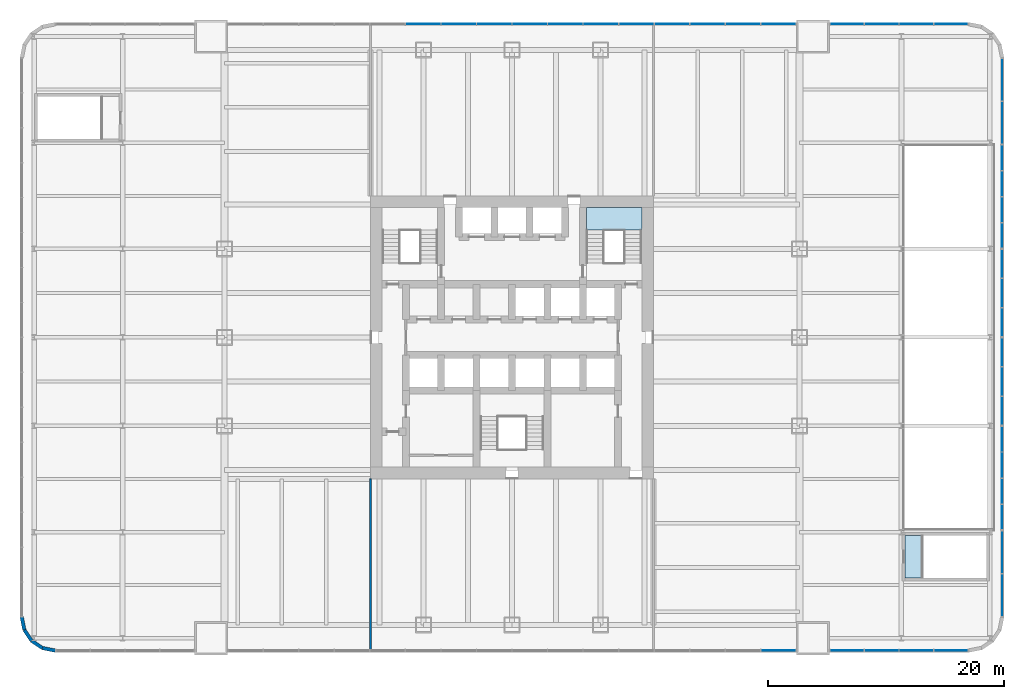
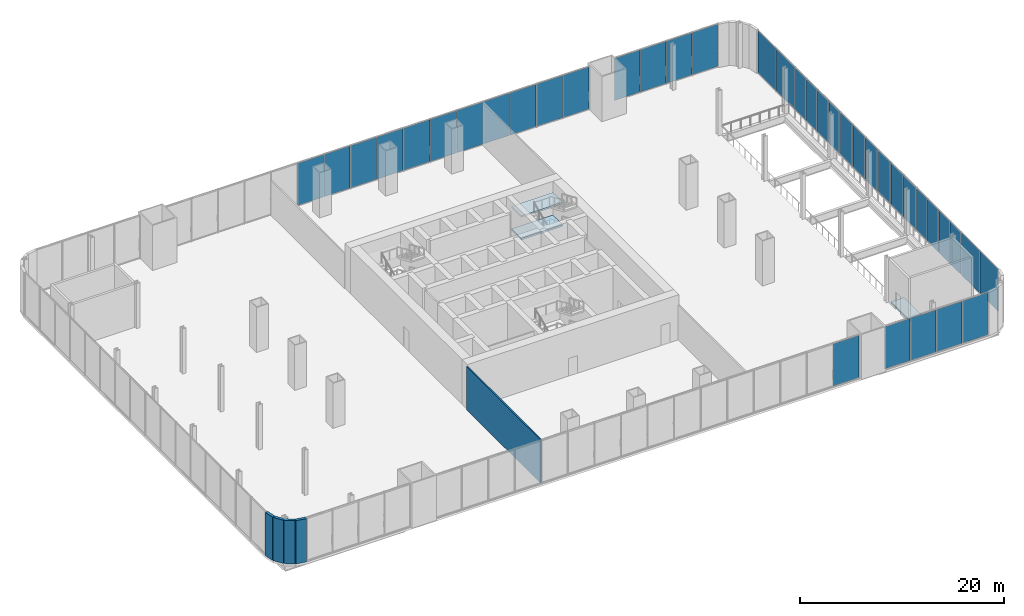
# One storey, part 13 of 17: 38 plates, 5 walls, 3 slabs, 11 elements without a shape of their own.
"""IFC4 building model written with IfcOpenShell, lengths in metres."""

from ifc_helpers import new_model, si_unit, direction, frame, frame_2d, origin, origin_2d, place, context, subcontext, project, spatial, polyline, rectangle, outline, extrude, material, layer, layer_set, type_object, element, aggregate, save


model = new_model("IFC4")

# Units and contexts
model_context = context("Model", 3, precision=1e-05, world=origin(), true_north=direction((0.0, 1.0)))
body_context = subcontext(model_context, "Body", "Model", "MODEL_VIEW")
ifc_project = project(units=[si_unit("LENGTHUNIT", "METRE"), si_unit("AREAUNIT", "SQUARE_METRE"), si_unit("VOLUMEUNIT", "CUBIC_METRE"), si_unit("PLANEANGLEUNIT", "RADIAN"), si_unit("MASSUNIT", "GRAM", prefix="KILO")], contexts=[model_context])

# Site, building, storey
site_placement = place(None, origin())
site = spatial("IfcSite", under=ifc_project, at=site_placement, CompositionType="ELEMENT")
building_placement = place(site_placement, origin())
building = spatial("IfcBuilding", under=site, at=building_placement, Name="Tarangal Relay Tower", CompositionType="ELEMENT")
storey_placement = place(building_placement, frame((0.0, 0.0, 18.0)))
storey = spatial("IfcBuildingStorey", under=building, at=storey_placement, Name="L03", CompositionType="ELEMENT", Elevation=18.0)

# Curtain wall, plates
ifc_material_1 = material(Name="Unitised curtain wall, dark glass and black aluminium", Category="aluminium")
curtain_wall_type_1 = type_object("IfcCurtainWallType", Name="Curtain wall CW-P", PredefinedType="USERDEFINED", material=ifc_material_1)
curtain_wall_1_placement = place(storey_placement, origin())
curtain_wall_1 = element("IfcCurtainWall", 1, at=curtain_wall_1_placement, inside=storey, type_object=curtain_wall_type_1, Name="Curtain wall CW-P Podium N facade L03", ObjectType="UNITISED CURTAIN WALL", PredefinedType="USERDEFINED")
ifc_material_2 = material(Name="Dark tinted insulated glass unit", Category="glass")
ifc_layer_1 = layer(ifc_material_2, 0.033935546875)
ifc_layer_set_1 = layer_set([ifc_layer_1], Name="Glazed panel CW-P 34")
plate_type_1 = type_object("IfcPlateType", Name="Glazed panel CW-P 34", PredefinedType="CURTAIN_PANEL", material=ifc_layer_set_1)
plate_1_placement = place(storey_placement, frame((37.20751953125, 26.550048828125, 0.070068359375), z_axis=(0.0, 0.0, 1.0), x_axis=(-1.0, 0.0, 0.0)))
plate_1 = element("IfcPlate", 2, at=plate_1_placement, type_object=plate_type_1, Name="CW-P panel 1.1", PredefinedType="CURTAIN_PANEL", context=body_context, shape_type="SweptSolid", body=[
    extrude(rectangle(XDim=2.844970703125, YDim=0.033935546875, at=origin_2d()), origin(), (0.0, 0.0, 1.0), 5.06005859375),
])
plate_2_placement = place(storey_placement, frame((34.27490234375, 26.550048828125, 0.070068359375), z_axis=(0.0, 0.0, 1.0), x_axis=(-1.0, 0.0, 0.0)))
plate_2 = element("IfcPlate", 3, at=plate_2_placement, type_object=plate_type_1, Name="CW-P panel 2.1", PredefinedType="CURTAIN_PANEL", context=body_context, shape_type="SweptSolid", body=[
    extrude(rectangle(XDim=2.8798828125, YDim=0.033935546875, at=origin_2d()), origin(), (0.0, 0.0, 1.0), 5.06005859375),
])
plate_3_placement = place(storey_placement, frame((31.324951171875, 26.550048828125, 0.070068359375), z_axis=(0.0, 0.0, 1.0), x_axis=(-1.0, 0.0, 0.0)))
plate_3 = element("IfcPlate", 4, at=plate_3_placement, type_object=plate_type_1, Name="CW-P panel 3.1", PredefinedType="CURTAIN_PANEL", context=body_context, shape_type="SweptSolid", body=[
    extrude(rectangle(XDim=2.8798828125, YDim=0.033935546875, at=origin_2d()), origin(), (0.0, 0.0, 1.0), 5.06005859375),
])
plate_4_placement = place(storey_placement, frame((28.392578125, 26.550048828125, 0.070068359375), z_axis=(0.0, 0.0, 1.0), x_axis=(-1.0, 0.0, 0.0)))
plate_4 = element("IfcPlate", 5, at=plate_4_placement, type_object=plate_type_1, Name="CW-P panel 4.1", PredefinedType="CURTAIN_PANEL", context=body_context, shape_type="SweptSolid", body=[
    extrude(rectangle(XDim=2.844970703125, YDim=0.033935546875, at=origin_2d()), origin(), (0.0, 0.0, 1.0), 5.06005859375),
])
aggregate(curtain_wall_1, [plate_1, plate_2, plate_3, plate_4])

curtain_wall_2_placement = place(storey_placement, origin())
curtain_wall_2 = element("IfcCurtainWall", 6, at=curtain_wall_2_placement, inside=storey, type_object=curtain_wall_type_1, Name="Curtain wall CW-P Podium N facade L03", ObjectType="UNITISED CURTAIN WALL", PredefinedType="USERDEFINED")
plate_5_placement = place(storey_placement, frame((22.576171875, 26.550048828125, 0.070068359375), z_axis=(0.0, 0.0, 1.0), x_axis=(-1.0, 0.0, 0.0)))
plate_5 = element("IfcPlate", 7, at=plate_5_placement, type_object=plate_type_1, Name="CW-P panel 1.1", PredefinedType="CURTAIN_PANEL", context=body_context, shape_type="SweptSolid", body=[
    extrude(rectangle(XDim=2.907470703125, YDim=0.033935546875, at=origin_2d()), origin(), (0.0, 0.0, 1.0), 5.06005859375),
])
plate_6_placement = place(storey_placement, frame((19.581298828125, 26.550048828125, 0.070068359375), z_axis=(0.0, 0.0, 1.0), x_axis=(-1.0, 0.0, 0.0)))
plate_6 = element("IfcPlate", 8, at=plate_6_placement, type_object=plate_type_1, Name="CW-P panel 2.1", PredefinedType="CURTAIN_PANEL", context=body_context, shape_type="SweptSolid", body=[
    extrude(rectangle(XDim=2.9423828125, YDim=0.033935546875, at=origin_2d()), origin(), (0.0, 0.0, 1.0), 5.06005859375),
])
plate_7_placement = place(storey_placement, frame((16.56884765625, 26.550048828125, 0.070068359375), z_axis=(0.0, 0.0, 1.0), x_axis=(-1.0, 0.0, 0.0)))
plate_7 = element("IfcPlate", 9, at=plate_7_placement, type_object=plate_type_1, Name="CW-P panel 3.1", PredefinedType="CURTAIN_PANEL", context=body_context, shape_type="SweptSolid", body=[
    extrude(rectangle(XDim=2.9423828125, YDim=0.033935546875, at=origin_2d()), origin(), (0.0, 0.0, 1.0), 5.06005859375),
])
plate_8_placement = place(storey_placement, frame((13.55615234375, 26.550048828125, 0.070068359375), z_axis=(0.0, 0.0, 1.0), x_axis=(-1.0, 0.0, 0.0)))
plate_8 = element("IfcPlate", 10, at=plate_8_placement, type_object=plate_type_1, Name="CW-P panel 4.1", PredefinedType="CURTAIN_PANEL", context=body_context, shape_type="SweptSolid", body=[
    extrude(rectangle(XDim=2.9423828125, YDim=0.033935546875, at=origin_2d()), origin(), (0.0, 0.0, 1.0), 5.06005859375),
])
plate_9_placement = place(storey_placement, frame((10.543701171875, 26.550048828125, 0.070068359375), z_axis=(0.0, 0.0, 1.0), x_axis=(-1.0, 0.0, 0.0)))
plate_9 = element("IfcPlate", 11, at=plate_9_placement, type_object=plate_type_1, Name="CW-P panel 5.1", PredefinedType="CURTAIN_PANEL", context=body_context, shape_type="SweptSolid", body=[
    extrude(rectangle(XDim=2.9423828125, YDim=0.033935546875, at=origin_2d()), origin(), (0.0, 0.0, 1.0), 5.06005859375),
])
plate_10_placement = place(storey_placement, frame((7.53125, 26.550048828125, 0.070068359375), z_axis=(0.0, 0.0, 1.0), x_axis=(-1.0, 0.0, 0.0)))
plate_10 = element("IfcPlate", 12, at=plate_10_placement, type_object=plate_type_1, Name="CW-P panel 6.1", PredefinedType="CURTAIN_PANEL", context=body_context, shape_type="SweptSolid", body=[
    extrude(rectangle(XDim=2.9423828125, YDim=0.033935546875, at=origin_2d()), origin(), (0.0, 0.0, 1.0), 5.06005859375),
])
plate_11_placement = place(storey_placement, frame((4.518798828125, 26.550048828125, 0.070068359375), z_axis=(0.0, 0.0, 1.0), x_axis=(-1.0, 0.0, 0.0)))
plate_11 = element("IfcPlate", 13, at=plate_11_placement, type_object=plate_type_1, Name="CW-P panel 7.1", PredefinedType="CURTAIN_PANEL", context=body_context, shape_type="SweptSolid", body=[
    extrude(rectangle(XDim=2.9423828125, YDim=0.033935546875, at=origin_2d()), origin(), (0.0, 0.0, 1.0), 5.06005859375),
])
plate_12_placement = place(storey_placement, frame((1.50634765625, 26.550048828125, 0.070068359375), z_axis=(0.0, 0.0, 1.0), x_axis=(-1.0, 0.0, 0.0)))
plate_12 = element("IfcPlate", 14, at=plate_12_placement, type_object=plate_type_1, Name="CW-P panel 8.1", PredefinedType="CURTAIN_PANEL", context=body_context, shape_type="SweptSolid", body=[
    extrude(rectangle(XDim=2.9423828125, YDim=0.033935546875, at=origin_2d()), origin(), (0.0, 0.0, 1.0), 5.06005859375),
])
plate_13_placement = place(storey_placement, frame((-1.50634765625, 26.550048828125, 0.070068359375), z_axis=(0.0, 0.0, 1.0), x_axis=(-1.0, 0.0, 0.0)))
plate_13 = element("IfcPlate", 15, at=plate_13_placement, type_object=plate_type_1, Name="CW-P panel 9.1", PredefinedType="CURTAIN_PANEL", context=body_context, shape_type="SweptSolid", body=[
    extrude(rectangle(XDim=2.9423828125, YDim=0.033935546875, at=origin_2d()), origin(), (0.0, 0.0, 1.0), 5.06005859375),
])
plate_14_placement = place(storey_placement, frame((-4.518798828125, 26.550048828125, 0.070068359375), z_axis=(0.0, 0.0, 1.0), x_axis=(-1.0, 0.0, 0.0)))
plate_14 = element("IfcPlate", 16, at=plate_14_placement, type_object=plate_type_1, Name="CW-P panel 10.1", PredefinedType="CURTAIN_PANEL", context=body_context, shape_type="SweptSolid", body=[
    extrude(rectangle(XDim=2.9423828125, YDim=0.033935546875, at=origin_2d()), origin(), (0.0, 0.0, 1.0), 5.06005859375),
])
plate_15_placement = place(storey_placement, frame((-7.53125, 26.550048828125, 0.070068359375), z_axis=(0.0, 0.0, 1.0), x_axis=(-1.0, 0.0, 0.0)))
plate_15 = element("IfcPlate", 17, at=plate_15_placement, type_object=plate_type_1, Name="CW-P panel 11.1", PredefinedType="CURTAIN_PANEL", context=body_context, shape_type="SweptSolid", body=[
    extrude(rectangle(XDim=2.9423828125, YDim=0.033935546875, at=origin_2d()), origin(), (0.0, 0.0, 1.0), 5.06005859375),
])
aggregate(curtain_wall_2, [plate_5, plate_6, plate_7, plate_8, plate_9, plate_10, plate_11, plate_12, plate_13, plate_14, plate_15])

# Curtain wall, plate
curtain_wall_3_placement = place(storey_placement, origin())
curtain_wall_3 = element("IfcCurtainWall", 18, at=curtain_wall_3_placement, inside=storey, type_object=curtain_wall_type_1, Name="Curtain wall CW-P Podium S facade L03", ObjectType="UNITISED CURTAIN WALL", PredefinedType="USERDEFINED")
plate_16_placement = place(storey_placement, frame((22.576171875, -26.550048828125, 0.070068359375), z_axis=(0.0, 0.0, 1.0), x_axis=(1.0, 0.0, 0.0)))
plate_16 = element("IfcPlate", 19, at=plate_16_placement, type_object=plate_type_1, Name="CW-P panel 16.1", PredefinedType="CURTAIN_PANEL", context=body_context, shape_type="SweptSolid", body=[
    extrude(rectangle(XDim=2.907470703125, YDim=0.033935546875, at=origin_2d()), origin(), (0.0, 0.0, 1.0), 5.06005859375),
])
aggregate(curtain_wall_3, [plate_16])

# Curtain wall, plates
curtain_wall_4_placement = place(storey_placement, origin())
curtain_wall_4 = element("IfcCurtainWall", 20, at=curtain_wall_4_placement, inside=storey, type_object=curtain_wall_type_1, Name="Curtain wall CW-P Podium S facade L03", ObjectType="UNITISED CURTAIN WALL", PredefinedType="USERDEFINED")
plate_17_placement = place(storey_placement, frame((28.392578125, -26.550048828125, 0.070068359375), z_axis=(0.0, 0.0, 1.0), x_axis=(1.0, 0.0, 0.0)))
plate_17 = element("IfcPlate", 21, at=plate_17_placement, type_object=plate_type_1, Name="CW-P panel 1.1", PredefinedType="CURTAIN_PANEL", context=body_context, shape_type="SweptSolid", body=[
    extrude(rectangle(XDim=2.844970703125, YDim=0.033935546875, at=origin_2d()), origin(), (0.0, 0.0, 1.0), 5.06005859375),
])
plate_18_placement = place(storey_placement, frame((31.324951171875, -26.550048828125, 0.070068359375), z_axis=(0.0, 0.0, 1.0), x_axis=(1.0, 0.0, 0.0)))
plate_18 = element("IfcPlate", 22, at=plate_18_placement, type_object=plate_type_1, Name="CW-P panel 2.1", PredefinedType="CURTAIN_PANEL", context=body_context, shape_type="SweptSolid", body=[
    extrude(rectangle(XDim=2.8798828125, YDim=0.033935546875, at=origin_2d()), origin(), (0.0, 0.0, 1.0), 5.06005859375),
])
plate_19_placement = place(storey_placement, frame((34.27490234375, -26.550048828125, 0.070068359375), z_axis=(0.0, 0.0, 1.0), x_axis=(1.0, 0.0, 0.0)))
plate_19 = element("IfcPlate", 23, at=plate_19_placement, type_object=plate_type_1, Name="CW-P panel 3.1", PredefinedType="CURTAIN_PANEL", context=body_context, shape_type="SweptSolid", body=[
    extrude(rectangle(XDim=2.8798828125, YDim=0.033935546875, at=origin_2d()), origin(), (0.0, 0.0, 1.0), 5.06005859375),
])
plate_20_placement = place(storey_placement, frame((37.20751953125, -26.550048828125, 0.070068359375), z_axis=(0.0, 0.0, 1.0), x_axis=(1.0, 0.0, 0.0)))
plate_20 = element("IfcPlate", 24, at=plate_20_placement, type_object=plate_type_1, Name="CW-P panel 4.1", PredefinedType="CURTAIN_PANEL", context=body_context, shape_type="SweptSolid", body=[
    extrude(rectangle(XDim=2.844970703125, YDim=0.033935546875, at=origin_2d()), origin(), (0.0, 0.0, 1.0), 5.06005859375),
])
aggregate(curtain_wall_4, [plate_17, plate_18, plate_19, plate_20])

curtain_wall_5_placement = place(storey_placement, origin())
curtain_wall_5 = element("IfcCurtainWall", 25, at=curtain_wall_5_placement, inside=storey, type_object=curtain_wall_type_1, Name="Curtain wall CW-P Podium E facade L03", ObjectType="UNITISED CURTAIN WALL", PredefinedType="USERDEFINED")
plate_21_placement = place(storey_placement, frame((41.550048828125, -21.844970703125, 0.070068359375), z_axis=(0.0, 0.0, 1.0), x_axis=(0.0, 1.0, 0.0)))
plate_21 = element("IfcPlate", 26, at=plate_21_placement, type_object=plate_type_1, Name="CW-P panel 1.1", PredefinedType="CURTAIN_PANEL", context=body_context, shape_type="SweptSolid", body=[
    extrude(rectangle(XDim=3.570068359375, YDim=0.033935546875, at=origin_2d()), origin(), (0.0, 0.0, 1.0), 5.06005859375),
])
plate_22_placement = place(storey_placement, frame((41.550048828125, -18.205078125, 0.070068359375), z_axis=(0.0, 0.0, 1.0), x_axis=(0.0, 1.0, 0.0)))
plate_22 = element("IfcPlate", 27, at=plate_22_placement, type_object=plate_type_1, Name="CW-P panel 2.1", PredefinedType="CURTAIN_PANEL", context=body_context, shape_type="SweptSolid", body=[
    extrude(rectangle(XDim=3.570068359375, YDim=0.033935546875, at=origin_2d()), origin(), (0.0, 0.0, 1.0), 5.06005859375),
])
aggregate(curtain_wall_5, [plate_21, plate_22])

curtain_wall_6_placement = place(storey_placement, origin())
curtain_wall_6 = element("IfcCurtainWall", 28, at=curtain_wall_6_placement, inside=storey, type_object=curtain_wall_type_1, Name="Curtain wall CW-P Podium E facade L03", ObjectType="UNITISED CURTAIN WALL", PredefinedType="USERDEFINED")
plate_23_placement = place(storey_placement, frame((41.550048828125, 18.205078125, 0.070068359375), z_axis=(0.0, 0.0, 1.0), x_axis=(0.0, 1.0, 0.0)))
plate_23 = element("IfcPlate", 29, at=plate_23_placement, type_object=plate_type_1, Name="CW-P panel 1.1", PredefinedType="CURTAIN_PANEL", context=body_context, shape_type="SweptSolid", body=[
    extrude(rectangle(XDim=3.570068359375, YDim=0.033935546875, at=origin_2d()), origin(), (0.0, 0.0, 1.0), 5.06005859375),
])
plate_24_placement = place(storey_placement, frame((41.550048828125, 21.844970703125, 0.070068359375), z_axis=(0.0, 0.0, 1.0), x_axis=(0.0, 1.0, 0.0)))
plate_24 = element("IfcPlate", 30, at=plate_24_placement, type_object=plate_type_1, Name="CW-P panel 2.1", PredefinedType="CURTAIN_PANEL", context=body_context, shape_type="SweptSolid", body=[
    extrude(rectangle(XDim=3.570068359375, YDim=0.033935546875, at=origin_2d()), origin(), (0.0, 0.0, 1.0), 5.06005859375),
])
aggregate(curtain_wall_6, [plate_23, plate_24])

curtain_wall_type_2 = type_object("IfcCurtainWallType", Name="Curtain wall CW-T", PredefinedType="USERDEFINED", material=ifc_material_1)
curtain_wall_7_placement = place(storey_placement, origin())
curtain_wall_7 = element("IfcCurtainWall", 31, at=curtain_wall_7_placement, inside=storey, type_object=curtain_wall_type_2, Name="Curtain wall CW-T Podium E facade L03", ObjectType="UNITISED CURTAIN WALL", PredefinedType="USERDEFINED")
ifc_layer_2 = layer(ifc_material_2, 0.0400390625)
ifc_layer_set_2 = layer_set([ifc_layer_2], Name="Glazed panel CW-T 40")
plate_type_2 = type_object("IfcPlateType", Name="Glazed panel CW-T 40", PredefinedType="CURTAIN_PANEL", material=ifc_layer_set_2)
plate_25_placement = place(storey_placement, frame((41.550048828125, -15.2236328125, 0.080078125), z_axis=(0.0, 0.0, 1.0), x_axis=(0.0, 1.0, 0.0)))
plate_25 = element("IfcPlate", 32, at=plate_25_placement, type_object=plate_type_2, Name="CW-T panel 1.1", PredefinedType="CURTAIN_PANEL", context=body_context, shape_type="SweptSolid", body=[
    extrude(rectangle(XDim=2.092529296875, YDim=0.0400390625, at=origin_2d()), origin(), (0.0, 0.0, 1.0), 5.0400390625),
])
plate_26_placement = place(storey_placement, frame((41.550048828125, -13.03125, 0.080078125), z_axis=(0.0, 0.0, 1.0), x_axis=(0.0, 1.0, 0.0)))
plate_26 = element("IfcPlate", 33, at=plate_26_placement, type_object=plate_type_2, Name="CW-T panel 2.1", PredefinedType="CURTAIN_PANEL", context=body_context, shape_type="SweptSolid", body=[
    extrude(rectangle(XDim=2.132568359375, YDim=0.0400390625, at=origin_2d()), origin(), (0.0, 0.0, 1.0), 5.0400390625),
])
plate_27_placement = place(storey_placement, frame((41.550048828125, -10.81884765625, 0.080078125), z_axis=(0.0, 0.0, 1.0), x_axis=(0.0, 1.0, 0.0)))
plate_27 = element("IfcPlate", 34, at=plate_27_placement, type_object=plate_type_2, Name="CW-T panel 3.1", PredefinedType="CURTAIN_PANEL", context=body_context, shape_type="SweptSolid", body=[
    extrude(rectangle(XDim=2.132568359375, YDim=0.0400390625, at=origin_2d()), origin(), (0.0, 0.0, 1.0), 5.0400390625),
])
plate_28_placement = place(storey_placement, frame((41.550048828125, -8.626220703125, 0.080078125), z_axis=(0.0, 0.0, 1.0), x_axis=(0.0, 1.0, 0.0)))
plate_28 = element("IfcPlate", 35, at=plate_28_placement, type_object=plate_type_2, Name="CW-T panel 4.1", PredefinedType="CURTAIN_PANEL", context=body_context, shape_type="SweptSolid", body=[
    extrude(rectangle(XDim=2.092529296875, YDim=0.0400390625, at=origin_2d()), origin(), (0.0, 0.0, 1.0), 5.0400390625),
])
aggregate(curtain_wall_7, [plate_25, plate_26, plate_27, plate_28])

curtain_wall_8_placement = place(storey_placement, origin())
curtain_wall_8 = element("IfcCurtainWall", 36, at=curtain_wall_8_placement, inside=storey, type_object=curtain_wall_type_2, Name="Curtain wall CW-T Podium E facade L03", ObjectType="UNITISED CURTAIN WALL", PredefinedType="USERDEFINED")
plate_29_placement = place(storey_placement, frame((41.550048828125, -6.22998046875, 0.080078125), z_axis=(0.0, 0.0, 1.0), x_axis=(0.0, 1.0, 0.0)))
plate_29 = element("IfcPlate", 37, at=plate_29_placement, type_object=plate_type_2, Name="CW-T panel 1.1", PredefinedType="CURTAIN_PANEL", context=body_context, shape_type="SweptSolid", body=[
    extrude(rectangle(XDim=2.3798828125, YDim=0.0400390625, at=origin_2d()), origin(), (0.0, 0.0, 1.0), 5.0400390625),
])
plate_30_placement = place(storey_placement, frame((41.550048828125, -3.75, 0.080078125), z_axis=(0.0, 0.0, 1.0), x_axis=(0.0, 1.0, 0.0)))
plate_30 = element("IfcPlate", 38, at=plate_30_placement, type_object=plate_type_2, Name="CW-T panel 2.1", PredefinedType="CURTAIN_PANEL", context=body_context, shape_type="SweptSolid", body=[
    extrude(rectangle(XDim=2.419921875, YDim=0.0400390625, at=origin_2d()), origin(), (0.0, 0.0, 1.0), 5.0400390625),
])
plate_31_placement = place(storey_placement, frame((41.550048828125, -1.27001953125, 0.080078125), z_axis=(0.0, 0.0, 1.0), x_axis=(0.0, 1.0, 0.0)))
plate_31 = element("IfcPlate", 39, at=plate_31_placement, type_object=plate_type_2, Name="CW-T panel 3.1", PredefinedType="CURTAIN_PANEL", context=body_context, shape_type="SweptSolid", body=[
    extrude(rectangle(XDim=2.3798828125, YDim=0.0400390625, at=origin_2d()), origin(), (0.0, 0.0, 1.0), 5.0400390625),
])
aggregate(curtain_wall_8, [plate_29, plate_30, plate_31])

curtain_wall_9_placement = place(storey_placement, origin())
curtain_wall_9 = element("IfcCurtainWall", 40, at=curtain_wall_9_placement, inside=storey, type_object=curtain_wall_type_2, Name="Curtain wall CW-T Podium E facade L03", ObjectType="UNITISED CURTAIN WALL", PredefinedType="USERDEFINED")
plate_32_placement = place(storey_placement, frame((41.550048828125, 1.27001953125, 0.080078125), z_axis=(0.0, 0.0, 1.0), x_axis=(0.0, 1.0, 0.0)))
plate_32 = element("IfcPlate", 41, at=plate_32_placement, type_object=plate_type_2, Name="CW-T panel 1.1", PredefinedType="CURTAIN_PANEL", context=body_context, shape_type="SweptSolid", body=[
    extrude(rectangle(XDim=2.3798828125, YDim=0.0400390625, at=origin_2d()), origin(), (0.0, 0.0, 1.0), 5.0400390625),
])
plate_33_placement = place(storey_placement, frame((41.550048828125, 3.75, 0.080078125), z_axis=(0.0, 0.0, 1.0), x_axis=(0.0, 1.0, 0.0)))
plate_33 = element("IfcPlate", 42, at=plate_33_placement, type_object=plate_type_2, Name="CW-T panel 2.1", PredefinedType="CURTAIN_PANEL", context=body_context, shape_type="SweptSolid", body=[
    extrude(rectangle(XDim=2.419921875, YDim=0.0400390625, at=origin_2d()), origin(), (0.0, 0.0, 1.0), 5.0400390625),
])
plate_34_placement = place(storey_placement, frame((41.550048828125, 6.22998046875, 0.080078125), z_axis=(0.0, 0.0, 1.0), x_axis=(0.0, 1.0, 0.0)))
plate_34 = element("IfcPlate", 43, at=plate_34_placement, type_object=plate_type_2, Name="CW-T panel 3.1", PredefinedType="CURTAIN_PANEL", context=body_context, shape_type="SweptSolid", body=[
    extrude(rectangle(XDim=2.3798828125, YDim=0.0400390625, at=origin_2d()), origin(), (0.0, 0.0, 1.0), 5.0400390625),
])
aggregate(curtain_wall_9, [plate_32, plate_33, plate_34])

curtain_wall_10_placement = place(storey_placement, origin())
curtain_wall_10 = element("IfcCurtainWall", 44, at=curtain_wall_10_placement, inside=storey, type_object=curtain_wall_type_2, Name="Curtain wall CW-T Podium E facade L03", ObjectType="UNITISED CURTAIN WALL", PredefinedType="USERDEFINED")
plate_35_placement = place(storey_placement, frame((41.550048828125, 8.626220703125, 0.080078125), z_axis=(0.0, 0.0, 1.0), x_axis=(0.0, 1.0, 0.0)))
plate_35 = element("IfcPlate", 45, at=plate_35_placement, type_object=plate_type_2, Name="CW-T panel 1.1", PredefinedType="CURTAIN_PANEL", context=body_context, shape_type="SweptSolid", body=[
    extrude(rectangle(XDim=2.092529296875, YDim=0.0400390625, at=origin_2d()), origin(), (0.0, 0.0, 1.0), 5.0400390625),
])
plate_36_placement = place(storey_placement, frame((41.550048828125, 10.81884765625, 0.080078125), z_axis=(0.0, 0.0, 1.0), x_axis=(0.0, 1.0, 0.0)))
plate_36 = element("IfcPlate", 46, at=plate_36_placement, type_object=plate_type_2, Name="CW-T panel 2.1", PredefinedType="CURTAIN_PANEL", context=body_context, shape_type="SweptSolid", body=[
    extrude(rectangle(XDim=2.132568359375, YDim=0.0400390625, at=origin_2d()), origin(), (0.0, 0.0, 1.0), 5.0400390625),
])
plate_37_placement = place(storey_placement, frame((41.550048828125, 13.03125, 0.080078125), z_axis=(0.0, 0.0, 1.0), x_axis=(0.0, 1.0, 0.0)))
plate_37 = element("IfcPlate", 47, at=plate_37_placement, type_object=plate_type_2, Name="CW-T panel 3.1", PredefinedType="CURTAIN_PANEL", context=body_context, shape_type="SweptSolid", body=[
    extrude(rectangle(XDim=2.132568359375, YDim=0.0400390625, at=origin_2d()), origin(), (0.0, 0.0, 1.0), 5.0400390625),
])
plate_38_placement = place(storey_placement, frame((41.550048828125, 15.2236328125, 0.080078125), z_axis=(0.0, 0.0, 1.0), x_axis=(0.0, 1.0, 0.0)))
plate_38 = element("IfcPlate", 48, at=plate_38_placement, type_object=plate_type_2, Name="CW-T panel 4.1", PredefinedType="CURTAIN_PANEL", context=body_context, shape_type="SweptSolid", body=[
    extrude(rectangle(XDim=2.092529296875, YDim=0.0400390625, at=origin_2d()), origin(), (0.0, 0.0, 1.0), 5.0400390625),
])
aggregate(curtain_wall_10, [plate_35, plate_36, plate_37, plate_38])

# Stair, slabs
ifc_material_3 = material(Name="Steel ASTM A992 stair flight", Category="steel")
stair_type = type_object("IfcStairType", Name="Core stair 1500", PredefinedType="HALF_TURN_STAIR", material=ifc_material_3)
stair_placement = place(storey_placement, origin())
stair = element("IfcStair", 49, at=stair_placement, inside=storey, type_object=stair_type, Name="Stair ST-B L03", PredefinedType="HALF_TURN_STAIR")
ifc_material_4 = material(Name="Concrete fc' 35 MPa", Category="concrete")
ifc_layer_3 = layer(ifc_material_4, 0.199951171875)
ifc_layer_set_3 = layer_set([ifc_layer_3], Name="Stair landing 200")
slab_type = type_object("IfcSlabType", Name="Stair landing 200", PredefinedType="LANDING", material=ifc_layer_set_3)
slab_1_placement = place(storey_placement, frame((0.0, 0.0, 1.14990234375)))
slab_1 = element("IfcSlab", 50, at=slab_1_placement, type_object=slab_type, Name="ST-B landing 2", PredefinedType="LANDING", context=body_context, shape_type="SweptSolid", body=[
    extrude(outline(polyline([(6.300048828125, 9.083984375), (11.0, 9.083984375), (11.0, 11.0), (6.300048828125, 11.0), (6.300048828125, 9.083984375)])), origin(), (0.0, 0.0, 1.0), 0.2001953125),
])
slab_2_placement = place(storey_placement, frame((0.0, 0.0, 3.85009765625)))
slab_2 = element("IfcSlab", 51, at=slab_2_placement, type_object=slab_type, Name="ST-B landing 4", PredefinedType="LANDING", context=body_context, shape_type="SweptSolid", body=[
    extrude(outline(polyline([(6.300048828125, 9.083984375), (11.0, 9.083984375), (11.0, 11.0), (6.300048828125, 11.0), (6.300048828125, 9.083984375)])), origin(), (0.0, 0.0, 1.0), 0.199951171875),
])
aggregate(stair, [slab_1, slab_2])

# Slab
slab_3_placement = place(storey_placement, frame((0.0, 0.0, -0.199951171875)))
element("IfcSlab", 52, at=slab_3_placement, inside=storey, type_object=slab_type, Name="Stair ST-E top landing L03", PredefinedType="LANDING", context=body_context, shape_type="SweptSolid", body=[
    extrude(outline(polyline([(34.800048828125, -20.39990234375), (34.800048828125, -16.800048828125), (33.300048828125, -16.800048828125), (33.300048828125, -20.39990234375), (34.800048828125, -20.39990234375)])), origin(), (0.0, 0.0, 1.0), 0.199951171875),
])

# Walls
ifc_material_5 = material(Name="Gypsum board on steel studs", Category="steel")
ifc_layer_4 = layer(ifc_material_5, 0.14990234375)
ifc_layer_set_4 = layer_set([ifc_layer_4], Name="Partition 150")
wall_type_1 = type_object("IfcWallType", Name="Partition 150", PredefinedType="PARTITIONING", material=ifc_layer_set_4)
wall_placement = place(storey_placement, frame((-12.0, -12.0, 0.0), z_axis=(0.0, 0.0, 1.0), x_axis=(0.0, -1.0, 0.0)))
element("IfcWall", 53, at=wall_placement, inside=storey, type_object=wall_type_1, Name="Partition PT1 L03", PredefinedType="PARTITIONING", context=body_context, shape_type="SweptSolid", body=[
    extrude(rectangle(XDim=14.449951171875, YDim=0.14990234375, at=frame_2d((7.22509765625, 0.0))), origin(), (0.0, 0.0, 1.0), 5.199951171875),
])
ifc_material_6 = material(Name="Black granite clad concrete wall", Category="masonry")
ifc_layer_5 = layer(ifc_material_6, 0.300048828125)
ifc_layer_set_5 = layer_set([ifc_layer_5], Name="Podium wall 300")
wall_type_2 = type_object("IfcWallType", Name="Podium wall 300", PredefinedType="SOLIDWALL", material=ifc_layer_set_5)
for number, where, z_axis, x_axis, name in (
    (54, (-41.550048828125, -23.699951171875, 0.0), (0.0, 0.0, 1.0), (0.195187147506, -0.980766015647, 0.0), "Podium corner wall L03"),
    (55, (-41.3330078125, -24.79052734375, 0.0), (0.0, 0.0, 1.0), (0.555409243355, -0.831577159616, 0.0), "Podium corner wall L03"),
    (56, (-40.71533203125, -25.71533203125, 0.0), (0.0, 0.0, 1.0), (0.831577159616, -0.555409243355, 0.0), "Podium corner wall L03"),
    (57, (-39.79052734375, -26.3330078125, 0.0), (0.0, 0.0, 1.0), (0.980766015647, -0.195187147506, 0.0), "Podium corner wall L03"),
):
    element("IfcWall", number, at=place(storey_placement, frame(where, z_axis=z_axis, x_axis=x_axis)), inside=storey, type_object=wall_type_2, Name=name, PredefinedType="SOLIDWALL", context=body_context, shape_type="SweptSolid", body=[
        extrude(rectangle(XDim=1.112060546875, YDim=0.300048828125, at=frame_2d((0.55615234375, 0.0))), origin(), (0.0, 0.0, 1.0), 5.199951171875),
    ])

save(model, "model.ifc")
